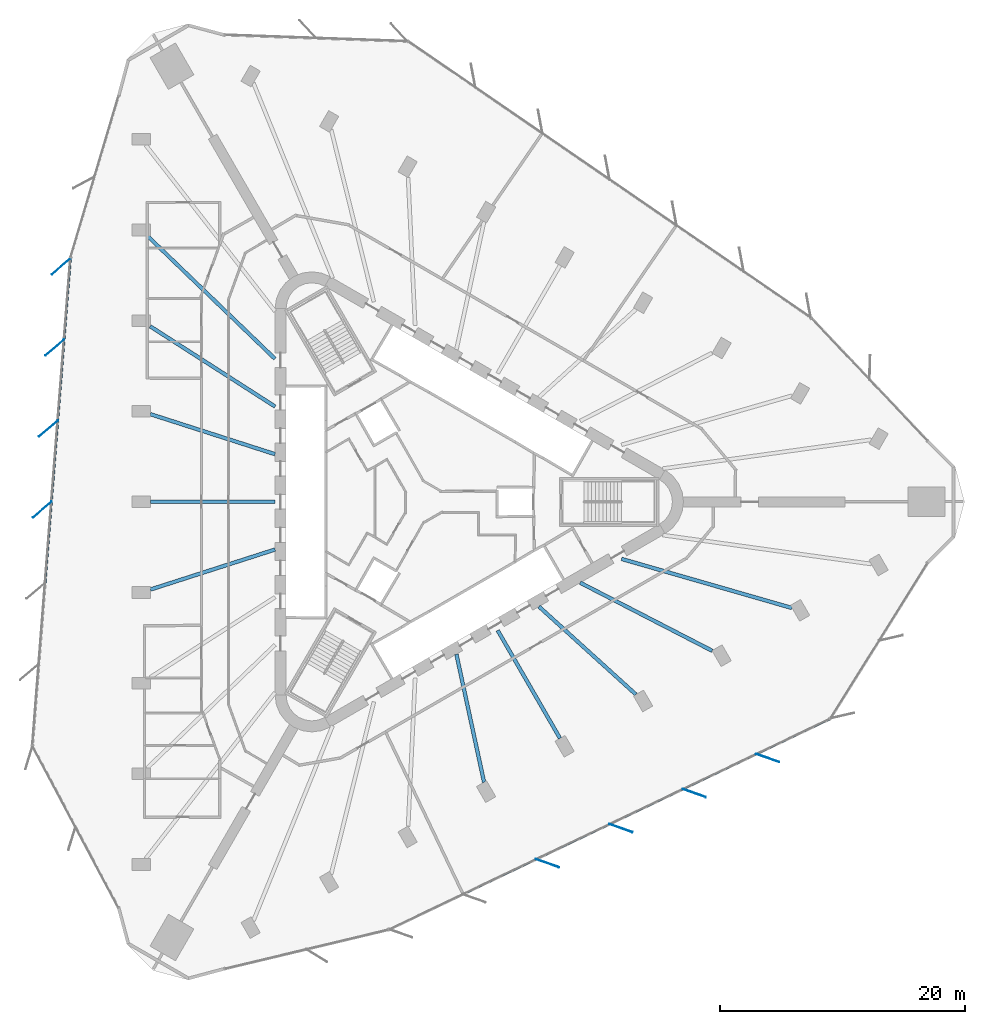
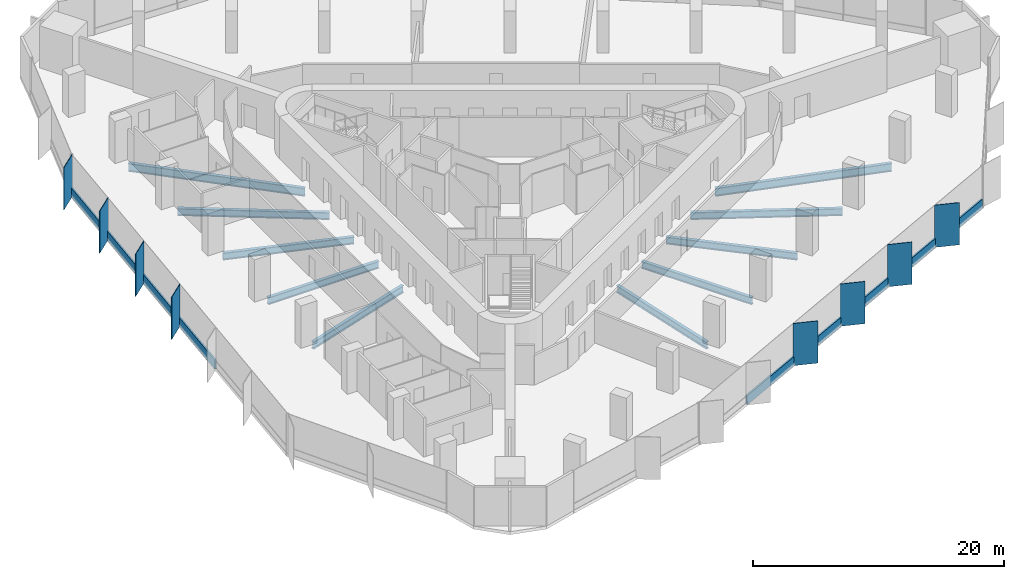
# One storey, part 3 of 15: 17 members, 10 beams, 2 elements without a shape of their own.
"""IFC4 building model written with IfcOpenShell, lengths in metres."""

from ifc_helpers import new_model, si_unit, direction, frame, origin, origin_2d, place, context, subcontext, project, spatial, rectangle, i_section, extrude, material, material_profile, profile_set, type_object, element, aggregate, save


model = new_model("IFC4")

# Units and contexts
model_context = context("Model", 3, precision=1e-05, world=origin(), true_north=direction((0.0, 1.0)))
body_context = subcontext(model_context, "Body", "Model", "MODEL_VIEW")
ifc_project = project(units=[si_unit("LENGTHUNIT", "METRE"), si_unit("AREAUNIT", "SQUARE_METRE"), si_unit("VOLUMEUNIT", "CUBIC_METRE"), si_unit("PLANEANGLEUNIT", "RADIAN"), si_unit("MASSUNIT", "GRAM", prefix="KILO")], contexts=[model_context])

# Site, building, storey
site_placement = place(None, origin())
site = spatial("IfcSite", under=ifc_project, at=site_placement, CompositionType="ELEMENT")
building_placement = place(site_placement, origin())
building = spatial("IfcBuilding", under=site, at=building_placement, Name="Tanit Gate Tower", CompositionType="ELEMENT")
storey_placement = place(building_placement, frame((0.0, 0.0, 102.89990234375)))
storey = spatial("IfcBuildingStorey", under=building, at=storey_placement, Name="L21", CompositionType="ELEMENT", Elevation=102.89990234375)

# Curtain wall, members
ifc_material_1 = material(Name="Aluminium bronze anodised and glass", Category="aluminium")
curtain_wall_type = type_object("IfcCurtainWallType", Name="Curtain wall typical low", PredefinedType="NOTDEFINED", material=ifc_material_1)
curtain_wall_1_placement = place(storey_placement, origin())
curtain_wall_1 = element("IfcCurtainWall", 1, at=curtain_wall_1_placement, inside=storey, type_object=curtain_wall_type, Name="Curtain wall L21 W2", PredefinedType="NOTDEFINED")
ifc_material_2 = material(Name="Aluminium bronze anodised", Category="aluminium")
ifc_material_profile_1 = material_profile(ifc_material_2, rectangle(XDim=2.0, YDim=0.055908203125, at=origin_2d()), Name="56x2000 bronze fin mullion")
ifc_profile_set_1 = profile_set([ifc_material_profile_1], Name="Aluminium bronze anodised")
member_type_1 = type_object("IfcMemberType", Name="FIN MULLION 56x2000 bronze", PredefinedType="MULLION", material=ifc_profile_set_1)
member_1_placement = place(storey_placement, frame((-29.541259765625, 19.20703125, -0.2998046875), z_axis=(0.0, 0.0, 1.0), x_axis=(0.760001580735, 0.649921223903, 0.0)))
member_1 = element("IfcMember", 2, at=member_1_placement, type_object=member_type_1, Name="Fin mullion L21 W2.1", PredefinedType="MULLION", context=body_context, shape_type="SweptSolid", body=[
    extrude(rectangle(XDim=2.0, YDim=0.055908203125, at=origin_2d()), origin(), (0.0, 0.0, 1.0), 4.099853515625),
])
member_2_placement = place(storey_placement, frame((-30.0576171875, 12.593505859375, -0.2998046875), z_axis=(0.0, 0.0, 1.0), x_axis=(0.760001580735, 0.649921223903, 0.0)))
member_2 = element("IfcMember", 3, at=member_2_placement, type_object=member_type_1, Name="Fin mullion L21 W2.2", PredefinedType="MULLION", context=body_context, shape_type="SweptSolid", body=[
    extrude(rectangle(XDim=2.0, YDim=0.055908203125, at=origin_2d()), origin(), (0.0, 0.0, 1.0), 4.099853515625),
])
member_3_placement = place(storey_placement, frame((-30.573974609375, 5.97998046875, -0.2998046875), z_axis=(0.0, 0.0, 1.0), x_axis=(0.760001580735, 0.649921223903, 0.0)))
member_3 = element("IfcMember", 4, at=member_3_placement, type_object=member_type_1, Name="Fin mullion L21 W2.3", PredefinedType="MULLION", context=body_context, shape_type="SweptSolid", body=[
    extrude(rectangle(XDim=2.0, YDim=0.055908203125, at=origin_2d()), origin(), (0.0, 0.0, 1.0), 4.099853515625),
])
member_4_placement = place(storey_placement, frame((-31.09033203125, -0.633544921875, -0.2998046875), z_axis=(0.0, 0.0, 1.0), x_axis=(0.760001580735, 0.649921223903, 0.0)))
member_4 = element("IfcMember", 5, at=member_4_placement, type_object=member_type_1, Name="Fin mullion L21 W2.4", PredefinedType="MULLION", context=body_context, shape_type="SweptSolid", body=[
    extrude(rectangle(XDim=2.0, YDim=0.055908203125, at=origin_2d()), origin(), (0.0, 0.0, 1.0), 4.099853515625),
])

curtain_wall_2_placement = place(storey_placement, origin())
curtain_wall_2 = element("IfcCurtainWall", 6, at=curtain_wall_2_placement, inside=storey, type_object=curtain_wall_type, Name="Curtain wall L21 SE2", PredefinedType="NOTDEFINED")
member_5_placement = place(storey_placement, frame((10.108154296875, -29.4677734375, -0.2998046875), z_axis=(0.0, 0.0, 1.0), x_axis=(-0.942849080727, 0.333220063881, 0.0)))
member_5 = element("IfcMember", 7, at=member_5_placement, type_object=member_type_1, Name="Fin mullion L21 SE2.3", PredefinedType="MULLION", context=body_context, shape_type="SweptSolid", body=[
    extrude(rectangle(XDim=2.0, YDim=0.055908203125, at=origin_2d()), origin(), (0.0, 0.0, 1.0), 4.099853515625),
])
member_6_placement = place(storey_placement, frame((16.09375, -26.608154296875, -0.2998046875), z_axis=(0.0, 0.0, 1.0), x_axis=(-0.942849080727, 0.333220063881, 0.0)))
member_6 = element("IfcMember", 8, at=member_6_placement, type_object=member_type_1, Name="Fin mullion L21 SE2.4", PredefinedType="MULLION", context=body_context, shape_type="SweptSolid", body=[
    extrude(rectangle(XDim=2.0, YDim=0.055908203125, at=origin_2d()), origin(), (0.0, 0.0, 1.0), 4.099853515625),
])
member_7_placement = place(storey_placement, frame((22.079345703125, -23.74853515625, -0.2998046875), z_axis=(0.0, 0.0, 1.0), x_axis=(-0.942849080727, 0.333220063881, 0.0)))
member_7 = element("IfcMember", 9, at=member_7_placement, type_object=member_type_1, Name="Fin mullion L21 SE2.5", PredefinedType="MULLION", context=body_context, shape_type="SweptSolid", body=[
    extrude(rectangle(XDim=2.0, YDim=0.055908203125, at=origin_2d()), origin(), (0.0, 0.0, 1.0), 4.099853515625),
])
member_8_placement = place(storey_placement, frame((28.06494140625, -20.888916015625, -0.2998046875), z_axis=(0.0, 0.0, 1.0), x_axis=(-0.942849080727, 0.333220063881, 0.0)))
member_8 = element("IfcMember", 10, at=member_8_placement, type_object=member_type_1, Name="Fin mullion L21 SE2.6", PredefinedType="MULLION", context=body_context, shape_type="SweptSolid", body=[
    extrude(rectangle(XDim=2.0, YDim=0.055908203125, at=origin_2d()), origin(), (0.0, 0.0, 1.0), 4.099853515625),
])

# Beams
ifc_material_3 = material(Name="Steel S355", Category="steel")
ifc_material_profile_2 = material_profile(ifc_material_3, i_section(OverallWidth=0.300048828125, OverallDepth=0.68994140625, WebThickness=0.014404296875, FlangeThickness=0.027099609375, FilletRadius=0.027099609375, at=origin_2d()), Name="HEA 700")
ifc_profile_set_2 = profile_set([ifc_material_profile_2], Name="Steel S355")
beam_type_1 = type_object("IfcBeamType", Name="RADIAL GIRDER HEA 700 S355", PredefinedType="BEAM", material=ifc_profile_set_2)
beam_1_placement = place(storey_placement, frame((-22.267822265625, -7.150634765625, -0.64501953125), z_axis=(0.952108228796, 0.305761215098, 0.0), x_axis=(-0.305761215098, 0.952108228796, 0.0)))
element("IfcBeam", 11, at=beam_1_placement, inside=storey, type_object=beam_type_1, Name="RADIAL GIRDER", PredefinedType="BEAM", context=body_context, shape_type="SweptSolid", body=[
    extrude(i_section(OverallWidth=0.300048828125, OverallDepth=0.68994140625, WebThickness=0.014404296875, FlangeThickness=0.027099609375, FilletRadius=0.027099609375, at=origin_2d()), origin(), (0.0, 0.0, 1.0), 10.677001953125),
])
beam_2_placement = place(storey_placement, frame((4.94140625, -22.85986328125, -0.64501953125), z_axis=(-0.211276115388, 0.977426418236, 0.0), x_axis=(-0.977426418236, -0.211276115388, 0.0)))
element("IfcBeam", 12, at=beam_2_placement, inside=storey, type_object=beam_type_1, Name="RADIAL GIRDER", PredefinedType="BEAM", context=body_context, shape_type="SweptSolid", body=[
    extrude(i_section(OverallWidth=0.300048828125, OverallDepth=0.68994140625, WebThickness=0.014404296875, FlangeThickness=0.027099609375, FilletRadius=0.027099609375, at=origin_2d()), origin(), (0.0, 0.0, 1.0), 10.67724609375),
])
beam_3_placement = place(storey_placement, frame((11.134033203125, -19.28466796875, -0.64501953125), z_axis=(-0.500003096968, 0.866023615742, 0.0), x_axis=(-0.866023615742, -0.500003096968, 0.0)))
element("IfcBeam", 13, at=beam_3_placement, inside=storey, type_object=beam_type_1, Name="RADIAL GIRDER", PredefinedType="BEAM", context=body_context, shape_type="SweptSolid", body=[
    extrude(i_section(OverallWidth=0.300048828125, OverallDepth=0.68994140625, WebThickness=0.014404296875, FlangeThickness=0.027099609375, FilletRadius=0.027099609375, at=origin_2d()), origin(), (0.0, 0.0, 1.0), 10.166015625),
])
beam_4_placement = place(storey_placement, frame((17.326416015625, -15.709228515625, -0.64501953125), z_axis=(-0.740834398556, 0.671687720534, 0.0), x_axis=(-0.671687720534, -0.740834398556, 0.0)))
element("IfcBeam", 14, at=beam_4_placement, inside=storey, type_object=beam_type_1, Name="RADIAL GIRDER", PredefinedType="BEAM", context=body_context, shape_type="SweptSolid", body=[
    extrude(i_section(OverallWidth=0.300048828125, OverallDepth=0.68994140625, WebThickness=0.014404296875, FlangeThickness=0.027099609375, FilletRadius=0.027099609375, at=origin_2d()), origin(), (0.0, 0.0, 1.0), 10.677001953125),
])
for number, where, z_axis, x_axis, name in (
    (15, (23.530029296875, -12.1396484375, -0.64501953125), (-0.888695221305, 0.458498422713, 0.0), (-0.458498422713, -0.888695221305, 0.0), "RADIAL GIRDER"),
    (16, (-22.2783203125, 14.307861328125, -0.64501953125), (0.841413200644, -0.540392288788, 0.0), (0.540392288788, 0.841413200644, 0.0), "RADIAL GIRDER"),
):
    element("IfcBeam", number, at=place(storey_placement, frame(where, z_axis=z_axis, x_axis=x_axis)), inside=storey, type_object=beam_type_1, Name=name, PredefinedType="BEAM", context=body_context, shape_type="SweptSolid", body=[
        extrude(i_section(OverallWidth=0.300048828125, OverallDepth=0.68994140625, WebThickness=0.014404296875, FlangeThickness=0.027099609375, FilletRadius=0.027099609375, at=origin_2d()), origin(), (0.0, 0.0, 1.0), 12.09423828125),
    ])
beam_5_placement = place(storey_placement, frame((-22.267822265625, 7.150634765625, -0.64501953125), z_axis=(0.952108228796, -0.305761215098, 0.0), x_axis=(0.305761215098, 0.952108228796, 0.0)))
element("IfcBeam", 17, at=beam_5_placement, inside=storey, type_object=beam_type_1, Name="RADIAL GIRDER", PredefinedType="BEAM", context=body_context, shape_type="SweptSolid", body=[
    extrude(i_section(OverallWidth=0.300048828125, OverallDepth=0.68994140625, WebThickness=0.014404296875, FlangeThickness=0.027099609375, FilletRadius=0.027099609375, at=origin_2d()), origin(), (0.0, 0.0, 1.0), 10.677001953125),
])
beam_6_placement = place(storey_placement, frame((-22.267822265625, 0.0, -0.64501953125), z_axis=(1.0, 0.0, 0.0), x_axis=(0.0, 1.0, 0.0)))
element("IfcBeam", 18, at=beam_6_placement, inside=storey, type_object=beam_type_1, Name="RADIAL GIRDER", PredefinedType="BEAM", context=body_context, shape_type="SweptSolid", body=[
    extrude(i_section(OverallWidth=0.300048828125, OverallDepth=0.68994140625, WebThickness=0.014404296875, FlangeThickness=0.027099609375, FilletRadius=0.027099609375, at=origin_2d()), origin(), (0.0, 0.0, 1.0), 10.165771484375),
])
ifc_material_4 = material(Name="Steel S355", Category="steel")
ifc_material_profile_3 = material_profile(ifc_material_4, i_section(OverallWidth=0.300048828125, OverallDepth=0.7900390625, WebThickness=0.014892578125, FlangeThickness=0.028076171875, FilletRadius=0.030029296875, at=origin_2d()), Name="HEA 800")
ifc_profile_set_3 = profile_set([ifc_material_profile_3], Name="Steel S355")
beam_type_2 = type_object("IfcBeamType", Name="RADIAL GIRDER HEA 800 S355", PredefinedType="BEAM", material=ifc_profile_set_3)
for number, where, z_axis, x_axis, name in (
    (19, (30.0546875, -8.657470703125, -0.69482421875), (-0.960925208755, 0.276808134236, 0.0), (-0.276808134236, -0.960925208755, 0.0), "RADIAL GIRDER"),
    (20, (-22.52490234375, 21.69921875, -0.69482421875), (0.720183780424, -0.693783339677, 0.0), (0.693783339677, 0.720183780424, 0.0), "RADIAL GIRDER"),
):
    element("IfcBeam", number, at=place(storey_placement, frame(where, z_axis=z_axis, x_axis=x_axis)), inside=storey, type_object=beam_type_2, Name=name, PredefinedType="BEAM", context=body_context, shape_type="SweptSolid", body=[
        extrude(i_section(OverallWidth=0.300048828125, OverallDepth=0.7900390625, WebThickness=0.014892578125, FlangeThickness=0.028076171875, FilletRadius=0.030029296875, at=origin_2d()), origin(), (0.0, 0.0, 1.0), 14.472412109375),
    ])

# Member
ifc_material_5 = material(Name="Aluminium bronze anodised", Category="aluminium")
ifc_material_profile_4 = material_profile(ifc_material_5, rectangle(XDim=0.159912109375, YDim=0.89990234375, at=origin_2d()), Name="160x900 bronze transom")
ifc_profile_set_4 = profile_set([ifc_material_profile_4], Name="Aluminium bronze anodised")
member_type_2 = type_object("IfcMemberType", Name="Transom 160x900 typical low", PredefinedType="USERDEFINED", material=ifc_profile_set_4)
member_9_placement = place(storey_placement, frame((-28.801513671875, 19.802490234375, 0.150146484375), z_axis=(-0.077821712604, -0.996967291864, 0.0), x_axis=(0.996967291864, -0.077821712604, 0.0)))
member_9 = element("IfcMember", 21, at=member_9_placement, type_object=member_type_2, Name="Transom L21 W2.1", ObjectType="TRANSOM", PredefinedType="USERDEFINED", context=body_context, shape_type="SweptSolid", body=[
    extrude(rectangle(XDim=0.159912109375, YDim=0.89990234375, at=origin_2d()), origin(), (0.0, 0.0, 1.0), 6.553466796875),
])

member_10_placement = place(storey_placement, frame((-29.31787109375, 13.18896484375, 0.150146484375), z_axis=(-0.077818822403, -0.996967517465, 0.0), x_axis=(0.996967517465, -0.077818822403, 0.0)))
member_10 = element("IfcMember", 22, at=member_10_placement, type_object=member_type_2, Name="Transom L21 W2.2", ObjectType="TRANSOM", PredefinedType="USERDEFINED", context=body_context, shape_type="SweptSolid", body=[
    extrude(rectangle(XDim=0.159912109375, YDim=0.89990234375, at=origin_2d()), origin(), (0.0, 0.0, 1.0), 6.5537109375),
])

member_11_placement = place(storey_placement, frame((-29.834228515625, 6.575439453125, 0.150146484375), z_axis=(-0.077821712604, -0.996967291864, 0.0), x_axis=(0.996967291864, -0.077821712604, 0.0)))
member_11 = element("IfcMember", 23, at=member_11_placement, type_object=member_type_2, Name="Transom L21 W2.3", ObjectType="TRANSOM", PredefinedType="USERDEFINED", context=body_context, shape_type="SweptSolid", body=[
    extrude(rectangle(XDim=0.159912109375, YDim=0.89990234375, at=origin_2d()), origin(), (0.0, 0.0, 1.0), 6.553466796875),
])

member_12_placement = place(storey_placement, frame((-30.3505859375, -0.0380859375, 0.150146484375), z_axis=(-0.077818822403, -0.996967517465, 0.0), x_axis=(0.996967517465, -0.077818822403, 0.0)))
member_12 = element("IfcMember", 24, at=member_12_placement, type_object=member_type_2, Name="Transom L21 W2.4", ObjectType="TRANSOM", PredefinedType="USERDEFINED", context=body_context, shape_type="SweptSolid", body=[
    extrude(rectangle(XDim=0.159912109375, YDim=0.89990234375, at=origin_2d()), origin(), (0.0, 0.0, 1.0), 6.5537109375),
])

aggregate(curtain_wall_1, [member_1, member_2, member_3, member_4, member_9, member_10, member_11, member_12])

member_13_placement = place(storey_placement, frame((3.237060546875, -31.984375, 0.150146484375), z_axis=(0.902322009414, 0.4310626304, 0.0), x_axis=(-0.4310626304, 0.902322009414, 0.0)))
member_13 = element("IfcMember", 25, at=member_13_placement, type_object=member_type_2, Name="Transom L21 SE2.2", ObjectType="TRANSOM", PredefinedType="USERDEFINED", context=body_context, shape_type="SweptSolid", body=[
    extrude(rectangle(XDim=0.159912109375, YDim=0.89990234375, at=origin_2d()), origin(), (0.0, 0.0, 1.0), 6.553466796875),
])

member_14_placement = place(storey_placement, frame((9.22265625, -29.124755859375, 0.150146484375), z_axis=(0.902322009414, 0.4310626304, 0.0), x_axis=(-0.4310626304, 0.902322009414, 0.0)))
member_14 = element("IfcMember", 26, at=member_14_placement, type_object=member_type_2, Name="Transom L21 SE2.3", ObjectType="TRANSOM", PredefinedType="USERDEFINED", context=body_context, shape_type="SweptSolid", body=[
    extrude(rectangle(XDim=0.159912109375, YDim=0.89990234375, at=origin_2d()), origin(), (0.0, 0.0, 1.0), 6.553466796875),
])

member_15_placement = place(storey_placement, frame((15.208251953125, -26.265380859375, 0.150146484375), z_axis=(0.902314441847, 0.431078470855, 0.0), x_axis=(-0.431078470855, 0.902314441847, 0.0)))
member_15 = element("IfcMember", 27, at=member_15_placement, type_object=member_type_2, Name="Transom L21 SE2.4", ObjectType="TRANSOM", PredefinedType="USERDEFINED", context=body_context, shape_type="SweptSolid", body=[
    extrude(rectangle(XDim=0.159912109375, YDim=0.89990234375, at=origin_2d()), origin(), (0.0, 0.0, 1.0), 6.5537109375),
])

member_16_placement = place(storey_placement, frame((21.194091796875, -23.40576171875, 0.150146484375), z_axis=(0.902307519036, 0.431092961079, 0.0), x_axis=(-0.431092961079, 0.902307519036, 0.0)))
member_16 = element("IfcMember", 28, at=member_16_placement, type_object=member_type_2, Name="Transom L21 SE2.5", ObjectType="TRANSOM", PredefinedType="USERDEFINED", context=body_context, shape_type="SweptSolid", body=[
    extrude(rectangle(XDim=0.159912109375, YDim=0.89990234375, at=origin_2d()), origin(), (0.0, 0.0, 1.0), 6.553466796875),
])

member_17_placement = place(storey_placement, frame((27.1796875, -20.546142578125, 0.150146484375), z_axis=(0.902307519036, 0.431092961079, 0.0), x_axis=(-0.431092961079, 0.902307519036, 0.0)))
member_17 = element("IfcMember", 29, at=member_17_placement, type_object=member_type_2, Name="Transom L21 SE2.6", ObjectType="TRANSOM", PredefinedType="USERDEFINED", context=body_context, shape_type="SweptSolid", body=[
    extrude(rectangle(XDim=0.159912109375, YDim=0.89990234375, at=origin_2d()), origin(), (0.0, 0.0, 1.0), 6.553466796875),
])

aggregate(curtain_wall_2, [member_5, member_6, member_7, member_8, member_13, member_14, member_15, member_16, member_17])

save(model, "model.ifc")
